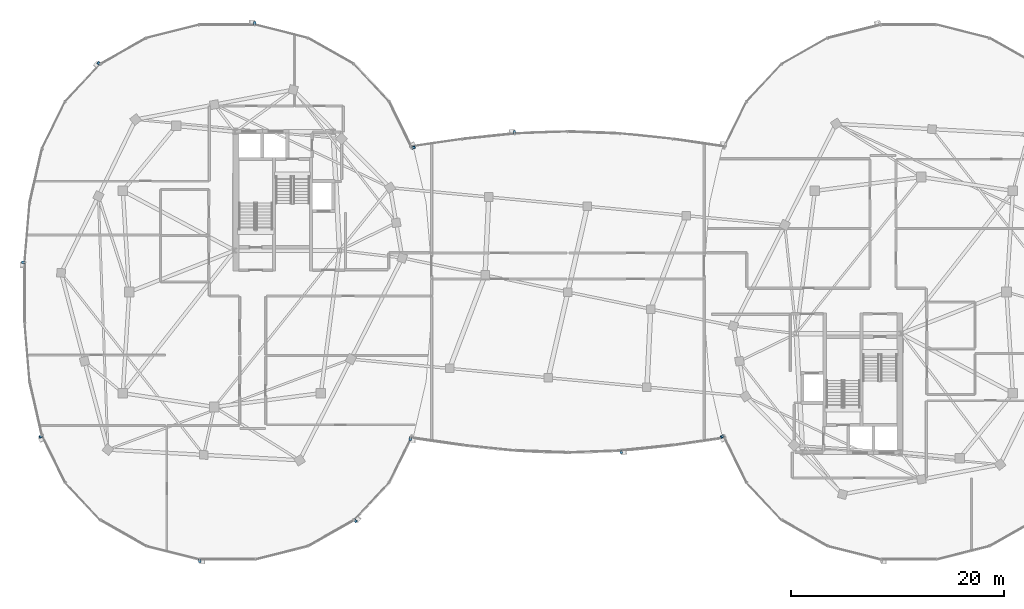
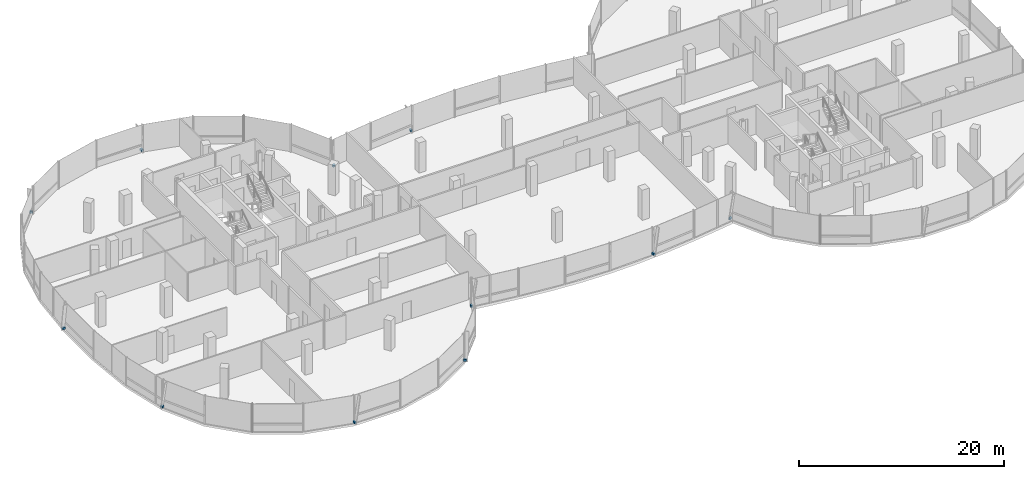
# One storey, part 18 of 25: 11 discrete accessories.
"""IFC4 building model written with IfcOpenShell, lengths in metres."""

from ifc_helpers import new_model, si_unit, direction, frame, origin, origin_2d, place, context, subcontext, project, spatial, rectangle, extrude, material, type_object, element, save


model = new_model("IFC4")

# Units and contexts
model_context = context("Model", 3, precision=1e-05, world=origin(), true_north=direction((0.0, 1.0)))
body_context = subcontext(model_context, "Body", "Model", "MODEL_VIEW")
ifc_project = project(units=[si_unit("LENGTHUNIT", "METRE"), si_unit("AREAUNIT", "SQUARE_METRE"), si_unit("VOLUMEUNIT", "CUBIC_METRE"), si_unit("PLANEANGLEUNIT", "RADIAN"), si_unit("MASSUNIT", "GRAM", prefix="KILO"), si_unit("THERMODYNAMICTEMPERATUREUNIT", "KELVIN"), si_unit("POWERUNIT", "WATT")], contexts=[model_context])

# Site, building, storey
site_placement = place(None, origin())
site = spatial("IfcSite", under=ifc_project, at=site_placement, CompositionType="ELEMENT")
building_placement = place(site_placement, origin())
building = spatial("IfcBuilding", under=site, at=building_placement, Name="Cundina Bronze Exchange", CompositionType="ELEMENT")
storey_placement = place(building_placement, frame((0.0, 0.0, 246.800048828125)))
storey = spatial("IfcBuildingStorey", under=building, at=storey_placement, Name="L65", CompositionType="ELEMENT", Elevation=246.800048828125)

# Discrete accessories
ifc_material = material(Name="Anodised Bronze Aluminium 6063-T6", Category="aluminium")
discrete_accessory_type = type_object("IfcDiscreteAccessoryType", Name="ACC-BRK-FIN", PredefinedType="BRACKET", material=ifc_material)
for number, where, z_axis, x_axis, name in (
    (1, (-14.505126953125, 13.565673828125, 0.10009765625), (0.0, 0.0, 1.0), (-0.440503330345, 0.897750976582, 0.0), "L65 Fin Support Bracket 1"),
    (2, (-29.423583984375, 25.25, 0.10009765625), (0.0, 0.0, 1.0), (-1.0, 0.0, 0.0), "L65 Fin Support Bracket 5"),
    (3, (-44.042236328125, 21.4755859375, 0.10009765625), (0.0, 0.0, 1.0), (-0.684343512797, -0.72915976061, 0.0), "L65 Fin Support Bracket 1"),
    (4, (-51.158935546875, 2.79150390625, 0.10009765625), (0.0, 0.0, 1.0), (0.0, -1.0, 0.0), "L65 Fin Support Bracket 5"),
    (5, (-49.494873046875, -13.565673828125, 0.10009765625), (0.0, 0.0, 1.0), (0.440503330345, -0.897750976582, 0.0), "L65 Fin Support Bracket 1"),
    (6, (-34.576416015625, -25.25, 0.10009765625), (0.0, 0.0, 1.0), (1.0, 0.0, 0.0), "L65 Fin Support Bracket 5"),
    (7, (-19.957763671875, -21.4755859375, 0.10009765625), (0.0, 0.0, 1.0), (0.684343512797, 0.72915976061, 0.0), "L65 Fin Support Bracket 1"),
    (8, (14.505126953125, -13.565673828125, 0.10009765625), (0.0, 0.0, 1.0), (0.440503330345, -0.897750976582, 0.0), "L65 Fin Support Bracket 1"),
    (9, (-14.799560546875, -13.79736328125, 0.10009765625), (0.0, 0.0, 1.0), (0.989528308409, -0.144338930496, 0.0), "L65 Fin Support Bracket 1"),
    (10, (5.003173828125, -15.01953125, 0.10009765625), (0.0, 0.0, 1.0), (0.994672274174, 0.103087666525, 0.0), "L65 Fin Support Bracket 5"),
    (11, (-5.003173828125, 15.01953125, 0.10009765625), (0.0, 0.0, 1.0), (-0.994672274174, -0.103087666525, 0.0), "L65 Fin Support Bracket 5"),
):
    element("IfcDiscreteAccessory", number, at=place(storey_placement, frame(where, z_axis=z_axis, x_axis=x_axis)), inside=storey, type_object=discrete_accessory_type, Name=name, PredefinedType="BRACKET", context=body_context, shape_type="SweptSolid", body=[
        extrude(rectangle(XDim=0.219970703125, YDim=0.320068359375, at=origin_2d()), origin(), (0.0, 0.0, 1.0), 0.239990234375),
    ])

save(model, "model.ifc")
